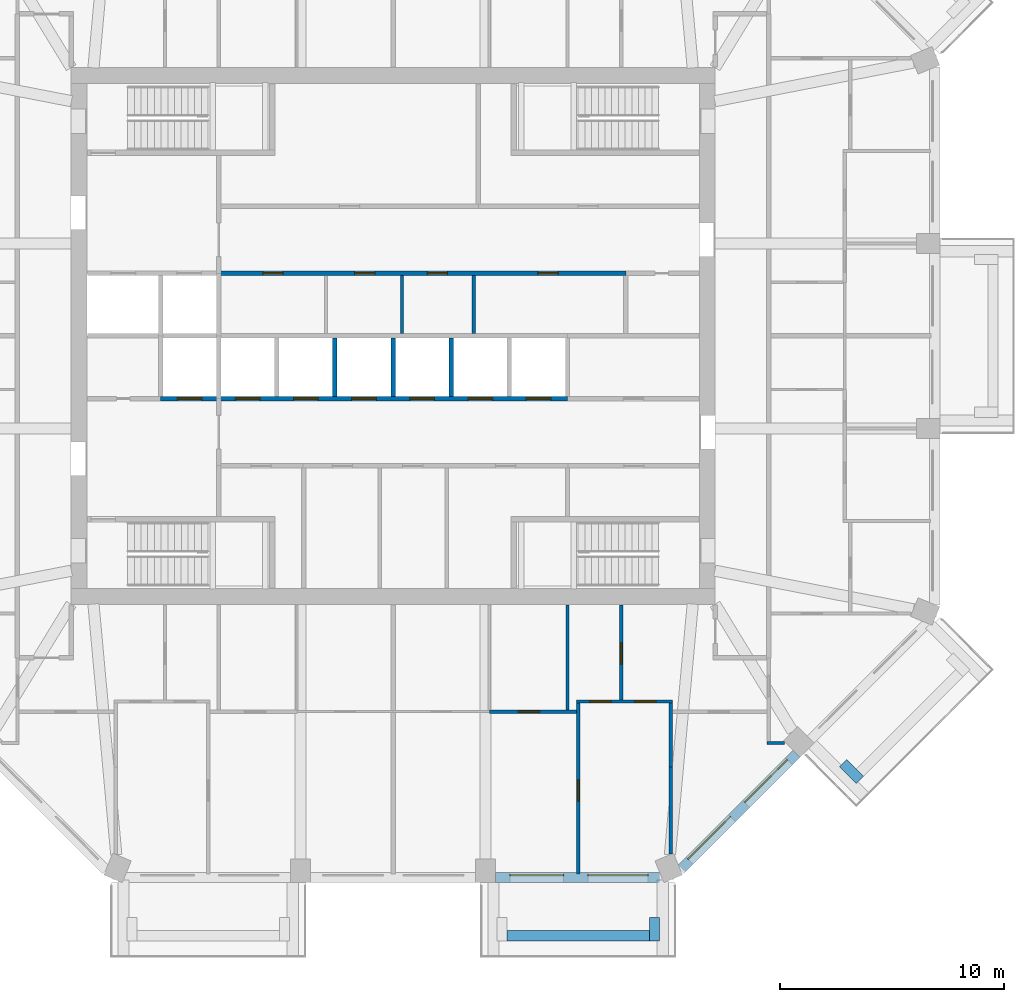
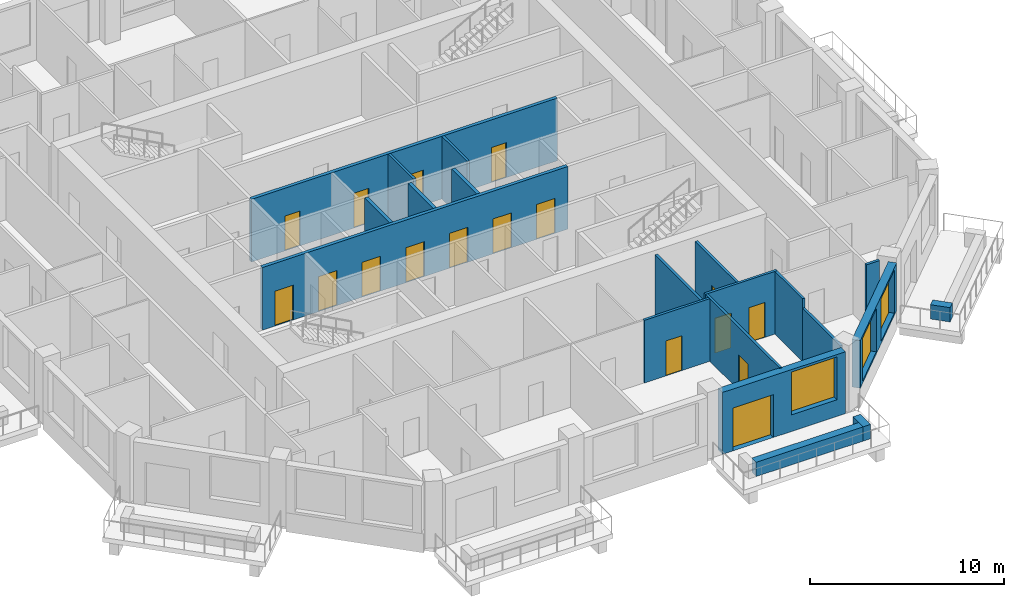
# One storey, part 5 of 12: 20 walls, 17 doors, 3 windows, 20 openings.
"""IFC4 building model written with IfcOpenShell, lengths in metres."""

from ifc_helpers import new_model, si_unit, direction, frame, frame_2d, origin, place, context, subcontext, project, spatial, rectangle, extrude, material, layer, layer_set, type_object, element, fill, save


model = new_model("IFC4")

# Units and contexts
model_context = context("Model", 3, precision=1e-05, world=origin(), true_north=direction((0.0, 1.0)))
body_context = subcontext(model_context, "Body", "Model", "MODEL_VIEW")
ifc_project = project(units=[si_unit("LENGTHUNIT", "METRE"), si_unit("AREAUNIT", "SQUARE_METRE"), si_unit("VOLUMEUNIT", "CUBIC_METRE"), si_unit("PLANEANGLEUNIT", "RADIAN"), si_unit("MASSUNIT", "GRAM", prefix="KILO")], contexts=[model_context])

# Site, building, storey
site_placement = place(None, origin())
site = spatial("IfcSite", under=ifc_project, at=site_placement, CompositionType="ELEMENT")
building_placement = place(site_placement, origin())
building = spatial("IfcBuilding", under=site, at=building_placement, Name="Msitu Wima Residences", CompositionType="ELEMENT")
storey_placement = place(building_placement, frame((0.0, 0.0, 179.10009765625)))
storey = spatial("IfcBuildingStorey", under=building, at=storey_placement, Name="L41", CompositionType="ELEMENT", Elevation=179.10009765625)

# Walls
ifc_material_1 = material(Name="Facing brick")
ifc_layer_1 = layer(ifc_material_1, 0.06494140625, Name="Facing brick")
ifc_material_2 = material(Name="Concrete C40/50", Category="concrete")
ifc_layer_2 = layer(ifc_material_2, 0.156005859375, Name="Concrete C40/50")
ifc_material_3 = material(Name="Waterproofing membrane")
ifc_layer_3 = layer(ifc_material_3, 0.00390625, Name="Waterproofing membrane")
ifc_material_4 = material(Name="Planting soil and planting")
ifc_layer_4 = layer(ifc_material_4, 0.22509765625, Name="Planting soil and planting")
ifc_layer_set_1 = layer_set([ifc_layer_1, ifc_layer_2, ifc_layer_3, ifc_layer_4], Name="Concrete C40/50")
wall_type_1 = type_object("IfcWallType", Name="Balcony planter PLANTER PL450", PredefinedType="USERDEFINED", material=ifc_layer_set_1)
wall_1_placement = place(storey_placement, frame((5.087158203125, -26.824951171875, 0.0), z_axis=(0.0, 0.0, 1.0), x_axis=(1.0, 0.0, 0.0)))
element("IfcWall", 1, at=wall_1_placement, inside=storey, type_object=wall_type_1, Name="Balcony planter S2 L41", ObjectType="PLANTER", PredefinedType="USERDEFINED", context=body_context, shape_type="SweptSolid", body=[
    extrude(rectangle(XDim=6.37451171875, YDim=0.449951171875, at=frame_2d((3.187255859375, 0.0))), origin(), (0.0, 0.0, 1.0), 0.89990234375),
])
for number, where, z_axis, x_axis, name in (
    (2, (11.686767578125, -26.0, 0.0), (0.0, 0.0, 1.0), (0.0, -1.0, 0.0), "Balcony planter S2 L41"),
    (3, (20.1328125, -19.107421875, 0.0), (0.0, 0.0, 1.0), (0.707106781187, -0.707106781187, 0.0), "Balcony planter SE1 L41"),
):
    element("IfcWall", number, at=place(storey_placement, frame(where, z_axis=z_axis, x_axis=x_axis)), inside=storey, type_object=wall_type_1, Name=name, ObjectType="PLANTER", PredefinedType="USERDEFINED", context=body_context, shape_type="SweptSolid", body=[
        extrude(rectangle(XDim=1.050048828125, YDim=0.449951171875, at=frame_2d((0.52490234375, 0.0))), origin(), (0.0, 0.0, 1.0), 0.89990234375),
    ])

# Wall, openings, door, window
ifc_material_5 = material(Name="Brick (red buff mix)", Category="masonry")
ifc_layer_5 = layer(ifc_material_5, 0.449951171875)
ifc_layer_set_2 = layer_set([ifc_layer_5], Name="Brick (red buff mix)")
wall_type_2 = type_object("IfcWallType", Name="Brick infill wall BW450", PredefinedType="SOLIDWALL", material=ifc_layer_set_2)
wall_2_placement = place(storey_placement, frame((4.587158203125, -24.22509765625, 0.0), z_axis=(0.0, 0.0, 1.0), x_axis=(1.0, 0.0, 0.0)))
wall_2 = element("IfcWall", 4, at=wall_2_placement, inside=storey, type_object=wall_type_2, Name="Brick infill wall L41 S2", PredefinedType="SOLIDWALL", context=body_context, shape_type="SweptSolid", body=[
    extrude(rectangle(XDim=7.337646484375, YDim=0.449951171875, at=frame_2d((3.6689453125, 0.0))), origin(), (0.0, 0.0, 1.0), 3.89990234375),
])
opening_1_placement = place(wall_2_placement, frame((0.63427734375, 0.0, 0.0)))
opening_1 = element("IfcOpeningElement", 5, at=opening_1_placement, cuts=wall_2, Name="Opening D40-42.007", PredefinedType="OPENING", context=body_context, shape_type="SweptSolid", body=[
    extrude(rectangle(XDim=2.39990234375, YDim=2.699951171875, at=frame_2d((1.199951171875, 1.35009765625))), frame((0.0, 0.23486328125, 0.0), z_axis=(0.0, -1.0, 0.0), x_axis=(1.0, 0.0, 0.0)), (0.0, 0.0, 1.0), 0.469970703125),
])
opening_2_placement = place(wall_2_placement, frame((4.11865234375, 0.0, 1.050048828125)))
opening_2 = element("IfcOpeningElement", 6, at=opening_2_placement, cuts=wall_2, Name="Opening W40-42.019", PredefinedType="OPENING", context=body_context, shape_type="SweptSolid", body=[
    extrude(rectangle(XDim=2.699951171875, YDim=2.699951171875, at=frame_2d((1.35009765625, 1.35009765625))), frame((0.0, 0.23486328125, 0.0), z_axis=(0.0, -1.0, 0.0), x_axis=(1.0, 0.0, 0.0)), (0.0, 0.0, 1.0), 0.469970703125),
])
ifc_material_6 = material(Name="Anodised aluminium, bronze finish, clear low-emissivity double glazing", Category="aluminium")
door_type_1 = type_object("IfcDoorType", Name="Balcony door D2400x2700", OperationType="SLIDING_TO_LEFT", PredefinedType="DOOR", material=ifc_material_6)
door_1_placement = place(opening_1_placement, origin())
door_1 = element("IfcDoor", 7, at=door_1_placement, inside=storey, type_object=door_type_1, Name="Balcony door L41 S2", OperationType="SINGLE_SWING_LEFT", OverallHeight=2.699951171875, OverallWidth=2.39990234375, PredefinedType="DOOR", context=body_context, shape_type="SweptSolid", body=[
    extrude(rectangle(XDim=2.39990234375, YDim=2.699951171875, at=frame_2d((1.199951171875, 1.35009765625))), frame((0.0, 0.1298828125, 0.0), z_axis=(0.0, -1.0, 0.0), x_axis=(1.0, 0.0, 0.0)), (0.0, 0.0, 1.0), 0.050048828125),
])
fill(opening_1, door_1)
window_type = type_object("IfcWindowType", Name="Window W2700x2700", PartitioningType="DOUBLE_PANEL_VERTICAL", PredefinedType="WINDOW", material=ifc_material_6)
window_1_placement = place(opening_2_placement, origin())
window_1 = element("IfcWindow", 8, at=window_1_placement, inside=storey, type_object=window_type, Name="Window L41 S2.2", OverallHeight=2.699951171875, OverallWidth=2.699951171875, PartitioningType="SINGLE_PANEL", PredefinedType="WINDOW", context=body_context, shape_type="SweptSolid", body=[
    extrude(rectangle(XDim=2.699951171875, YDim=2.699951171875, at=frame_2d((1.35009765625, 1.35009765625))), frame((0.0, 0.135009765625, 0.0), z_axis=(0.0, -1.0, 0.0), x_axis=(1.0, 0.0, 0.0)), (0.0, 0.0, 1.0), 0.06005859375),
])
fill(opening_2, window_1)

# Wall, openings, windows
wall_3_placement = place(storey_placement, frame((12.915283203125, -23.814697265625, 0.89990234375), z_axis=(0.0, 0.0, 1.0), x_axis=(0.707106781187, 0.707106781187, 0.0)))
wall_3 = element("IfcWall", 9, at=wall_3_placement, inside=storey, type_object=wall_type_2, Name="Brick infill wall L41 SE0", PredefinedType="SOLIDWALL", context=body_context, shape_type="SweptSolid", body=[
    extrude(rectangle(XDim=7.257080078125, YDim=0.449951171875, at=frame_2d((3.62841796875, 0.0))), origin(), (0.0, 0.0, 1.0), 3.0),
])
opening_3_placement = place(wall_3_placement, frame((0.478515625, 0.0, 0.14990234375)))
opening_3 = element("IfcOpeningElement", 10, at=opening_3_placement, cuts=wall_3, Name="Opening W40-42.020", PredefinedType="OPENING", context=body_context, shape_type="SweptSolid", body=[
    extrude(rectangle(XDim=2.699951171875, YDim=2.699951171875, at=frame_2d((1.35009765625, 1.35009765625))), frame((0.0, 0.23486328125, 0.0), z_axis=(0.0, -1.0, 0.0), x_axis=(1.0, 0.0, 0.0)), (0.0, 0.0, 1.0), 0.469970703125),
])
opening_4_placement = place(wall_3_placement, frame((4.07861328125, 0.0, 0.14990234375)))
opening_4 = element("IfcOpeningElement", 11, at=opening_4_placement, cuts=wall_3, Name="Opening W40-42.021", PredefinedType="OPENING", context=body_context, shape_type="SweptSolid", body=[
    extrude(rectangle(XDim=2.699951171875, YDim=2.699951171875, at=frame_2d((1.35009765625, 1.35009765625))), frame((0.0, 0.23486328125, 0.0), z_axis=(0.0, -1.0, 0.0), x_axis=(1.0, 0.0, 0.0)), (0.0, 0.0, 1.0), 0.469970703125),
])
window_2_placement = place(opening_3_placement, origin())
window_2 = element("IfcWindow", 12, at=window_2_placement, inside=storey, type_object=window_type, Name="Window L41 SE0.1", OverallHeight=2.699951171875, OverallWidth=2.699951171875, PartitioningType="SINGLE_PANEL", PredefinedType="WINDOW", context=body_context, shape_type="SweptSolid", body=[
    extrude(rectangle(XDim=2.699951171875, YDim=2.699951171875, at=frame_2d((1.35009765625, 1.35009765625))), frame((0.0, 0.135009765625, 0.0), z_axis=(0.0, -1.0, 0.0), x_axis=(1.0, 0.0, 0.0)), (0.0, 0.0, 1.0), 0.06005859375),
])
fill(opening_3, window_2)
window_3_placement = place(opening_4_placement, origin())
window_3 = element("IfcWindow", 13, at=window_3_placement, inside=storey, type_object=window_type, Name="Window L41 SE0.2", OverallHeight=2.699951171875, OverallWidth=2.699951171875, PartitioningType="SINGLE_PANEL", PredefinedType="WINDOW", context=body_context, shape_type="SweptSolid", body=[
    extrude(rectangle(XDim=2.699951171875, YDim=2.699951171875, at=frame_2d((1.35009765625, 1.35009765625))), frame((0.0, 0.135009765625, 0.0), z_axis=(0.0, -1.0, 0.0), x_axis=(1.0, 0.0, 0.0)), (0.0, 0.0, 1.0), 0.06005859375),
])
fill(opening_4, window_3)

# Wall, openings, doors
ifc_material_7 = material(Name="Plaster")
ifc_layer_6 = layer(ifc_material_7, 0.011962890625, Name="Plaster")
ifc_material_8 = material(Name="Concrete blockwork", Category="masonry")
ifc_layer_7 = layer(ifc_material_8, 0.176025390625, Name="Concrete blockwork")
ifc_layer_8 = layer(ifc_material_7, 0.011962890625, Name="Plaster")
ifc_layer_set_3 = layer_set([ifc_layer_6, ifc_layer_7, ifc_layer_8], Name="Concrete blockwork")
wall_type_3 = type_object("IfcWallType", Name="Corridor wall FW200", PredefinedType="PARTITIONING", material=ifc_layer_set_3)
wall_4_placement = place(storey_placement, frame((-7.820068359375, 2.800048828125, 0.0), z_axis=(0.0, 0.0, 1.0), x_axis=(1.0, 0.0, 0.0)))
wall_4 = element("IfcWall", 14, at=wall_4_placement, inside=storey, type_object=wall_type_3, Name="Corridor wall", PredefinedType="PARTITIONING", context=body_context, shape_type="SweptSolid", body=[
    extrude(rectangle(XDim=18.239990234375, YDim=0.199951171875, at=frame_2d((9.1201171875, 0.0))), origin(), (0.0, 0.0, 1.0), 3.949951171875),
])
opening_5_placement = place(wall_4_placement, frame((2.0, 0.0, 0.0)))
opening_5 = element("IfcOpeningElement", 15, at=opening_5_placement, cuts=wall_4, Name="Opening D40-42.081", PredefinedType="OPENING", context=body_context, shape_type="SweptSolid", body=[
    extrude(rectangle(XDim=0.89990234375, YDim=2.199951171875, at=frame_2d((0.449951171875, 1.10009765625))), frame((0.0, 0.10986328125, 0.0), z_axis=(0.0, -1.0, 0.0), x_axis=(1.0, 0.0, 0.0)), (0.0, 0.0, 1.0), 0.219970703125),
])
opening_6_placement = place(wall_4_placement, frame((6.10009765625, 0.0, 0.0)))
opening_6 = element("IfcOpeningElement", 16, at=opening_6_placement, cuts=wall_4, Name="Opening D40-42.082", PredefinedType="OPENING", context=body_context, shape_type="SweptSolid", body=[
    extrude(rectangle(XDim=0.89990234375, YDim=2.199951171875, at=frame_2d((0.449951171875, 1.10009765625))), frame((0.0, 0.10986328125, 0.0), z_axis=(0.0, -1.0, 0.0), x_axis=(1.0, 0.0, 0.0)), (0.0, 0.0, 1.0), 0.219970703125),
])
opening_7_placement = place(wall_4_placement, frame((9.35009765625, 0.0, 0.0)))
opening_7 = element("IfcOpeningElement", 17, at=opening_7_placement, cuts=wall_4, Name="Opening D40-42.083", PredefinedType="OPENING", context=body_context, shape_type="SweptSolid", body=[
    extrude(rectangle(XDim=0.89990234375, YDim=2.199951171875, at=frame_2d((0.449951171875, 1.10009765625))), frame((0.0, 0.10986328125, 0.0), z_axis=(0.0, -1.0, 0.0), x_axis=(1.0, 0.0, 0.0)), (0.0, 0.0, 1.0), 0.219970703125),
])
opening_8_placement = place(wall_4_placement, frame((14.300048828125, 0.0, 0.0)))
opening_8 = element("IfcOpeningElement", 18, at=opening_8_placement, cuts=wall_4, Name="Opening D40-42.084", PredefinedType="OPENING", context=body_context, shape_type="SweptSolid", body=[
    extrude(rectangle(XDim=0.89990234375, YDim=2.199951171875, at=frame_2d((0.449951171875, 1.10009765625))), frame((0.0, 0.10986328125, 0.0), z_axis=(0.0, -1.0, 0.0), x_axis=(1.0, 0.0, 0.0)), (0.0, 0.0, 1.0), 0.219970703125),
])
ifc_material_9 = material(Name="Timber flush door", Category="wood")
door_type_2 = type_object("IfcDoorType", Name="Service door D05 900x2200", OperationType="SINGLE_SWING_LEFT", PredefinedType="DOOR", material=ifc_material_9)
door_2_placement = place(opening_5_placement, origin())
door_2 = element("IfcDoor", 19, at=door_2_placement, inside=storey, type_object=door_type_2, Name="Service door", OperationType="SINGLE_SWING_LEFT", OverallHeight=2.199951171875, OverallWidth=0.89990234375, PredefinedType="DOOR", context=body_context, shape_type="SweptSolid", body=[
    extrude(rectangle(XDim=0.89990234375, YDim=2.199951171875, at=frame_2d((0.449951171875, 1.10009765625))), frame((0.0, 0.02490234375, 0.0), z_axis=(0.0, -1.0, 0.0), x_axis=(1.0, 0.0, 0.0)), (0.0, 0.0, 1.0), 0.050048828125),
])
fill(opening_5, door_2)
door_3_placement = place(opening_6_placement, origin())
door_3 = element("IfcDoor", 20, at=door_3_placement, inside=storey, type_object=door_type_2, Name="Service door", OperationType="SINGLE_SWING_LEFT", OverallHeight=2.199951171875, OverallWidth=0.89990234375, PredefinedType="DOOR", context=body_context, shape_type="SweptSolid", body=[
    extrude(rectangle(XDim=0.89990234375, YDim=2.199951171875, at=frame_2d((0.449951171875, 1.10009765625))), frame((0.0, 0.02490234375, 0.0), z_axis=(0.0, -1.0, 0.0), x_axis=(1.0, 0.0, 0.0)), (0.0, 0.0, 1.0), 0.050048828125),
])
fill(opening_6, door_3)
door_4_placement = place(opening_7_placement, origin())
door_4 = element("IfcDoor", 21, at=door_4_placement, inside=storey, type_object=door_type_2, Name="Service door", OperationType="SINGLE_SWING_RIGHT", OverallHeight=2.199951171875, OverallWidth=0.89990234375, PredefinedType="DOOR", context=body_context, shape_type="SweptSolid", body=[
    extrude(rectangle(XDim=0.89990234375, YDim=2.199951171875, at=frame_2d((0.449951171875, 1.10009765625))), frame((0.0, 0.02490234375, 0.0), z_axis=(0.0, -1.0, 0.0), x_axis=(1.0, 0.0, 0.0)), (0.0, 0.0, 1.0), 0.050048828125),
])
fill(opening_7, door_4)
door_5_placement = place(opening_8_placement, origin())
door_5 = element("IfcDoor", 22, at=door_5_placement, inside=storey, type_object=door_type_2, Name="Service door", OperationType="SINGLE_SWING_RIGHT", OverallHeight=2.199951171875, OverallWidth=0.89990234375, PredefinedType="DOOR", context=body_context, shape_type="SweptSolid", body=[
    extrude(rectangle(XDim=0.89990234375, YDim=2.199951171875, at=frame_2d((0.449951171875, 1.10009765625))), frame((0.0, 0.02490234375, 0.0), z_axis=(0.0, -1.0, 0.0), x_axis=(1.0, 0.0, 0.0)), (0.0, 0.0, 1.0), 0.050048828125),
])
fill(opening_8, door_5)

# Walls
ifc_layer_9 = layer(ifc_material_7, 0.011962890625, Name="Plaster")
ifc_layer_10 = layer(ifc_material_8, 0.1259765625, Name="Concrete blockwork")
ifc_layer_11 = layer(ifc_material_7, 0.011962890625, Name="Plaster")
ifc_layer_set_4 = layer_set([ifc_layer_9, ifc_layer_10, ifc_layer_11], Name="Concrete blockwork")
wall_type_4 = type_object("IfcWallType", Name="Partition PW150", PredefinedType="PARTITIONING", material=ifc_layer_set_4)
for number, where, z_axis, x_axis, name in (
    (23, (0.39990234375, 0.10009765625, 0.0), (0.0, 0.0, 1.0), (0.0, 1.0, 0.0), "Partition"),
    (24, (3.60009765625, 0.10009765625, 0.0), (0.0, 0.0, 1.0), (0.0, 1.0, 0.0), "Partition"),
):
    element("IfcWall", number, at=place(storey_placement, frame(where, z_axis=z_axis, x_axis=x_axis)), inside=storey, type_object=wall_type_4, Name=name, PredefinedType="PARTITIONING", context=body_context, shape_type="SweptSolid", body=[
        extrude(rectangle(XDim=2.599853515625, YDim=0.14990234375, at=frame_2d((1.2998046875, 0.0))), origin(), (0.0, 0.0, 1.0), 3.949951171875),
    ])

# Wall, opening, door
wall_5_placement = place(storey_placement, frame((4.300048828125, -16.800048828125, 0.0), z_axis=(0.0, 0.0, 1.0), x_axis=(1.0, 0.0, 0.0)))
wall_5 = element("IfcWall", 25, at=wall_5_placement, inside=storey, type_object=wall_type_4, Name="Partition", PredefinedType="PARTITIONING", context=body_context, shape_type="SweptSolid", body=[
    extrude(rectangle(XDim=3.8994140625, YDim=0.14990234375, at=frame_2d((1.94970703125, 0.0))), origin(), (0.0, 0.0, 1.0), 3.949951171875),
])
opening_9_placement = place(wall_5_placement, frame((1.300048828125, 0.0, 0.0)))
opening_9 = element("IfcOpeningElement", 26, at=opening_9_placement, cuts=wall_5, Name="Opening D40-42.056", PredefinedType="OPENING", context=body_context, shape_type="SweptSolid", body=[
    extrude(rectangle(XDim=0.949951171875, YDim=2.199951171875, at=frame_2d((0.47509765625, 1.10009765625))), frame((0.0, 0.0849609375, 0.0), z_axis=(0.0, -1.0, 0.0), x_axis=(1.0, 0.0, 0.0)), (0.0, 0.0, 1.0), 0.169921875),
])
door_type_3 = type_object("IfcDoorType", Name="Room door D12 950x2200", OperationType="SINGLE_SWING_LEFT", PredefinedType="DOOR", material=ifc_material_9)
door_6_placement = place(opening_9_placement, origin())
door_6 = element("IfcDoor", 27, at=door_6_placement, inside=storey, type_object=door_type_3, Name="Room door", OperationType="SINGLE_SWING_LEFT", OverallHeight=2.199951171875, OverallWidth=0.949951171875, PredefinedType="DOOR", context=body_context, shape_type="SweptSolid", body=[
    extrude(rectangle(XDim=0.949951171875, YDim=2.199951171875, at=frame_2d((0.47509765625, 1.10009765625))), frame((0.0, 0.02490234375, 0.0), z_axis=(0.0, -1.0, 0.0), x_axis=(1.0, 0.0, 0.0)), (0.0, 0.0, 1.0), 0.050048828125),
])
fill(opening_9, door_6)

# Wall
wall_6_placement = place(storey_placement, frame((7.800048828125, -16.72509765625, 0.0), z_axis=(0.0, 0.0, 1.0), x_axis=(0.0, 1.0, 0.0)))
element("IfcWall", 28, at=wall_6_placement, inside=storey, type_object=wall_type_4, Name="Partition", PredefinedType="PARTITIONING", context=body_context, shape_type="SweptSolid", body=[
    extrude(rectangle(XDim=4.695068359375, YDim=0.14990234375, at=frame_2d((2.34765625, 0.0))), origin(), (0.0, 0.0, 1.0), 3.949951171875),
])

# Wall, opening, door
wall_7_placement = place(storey_placement, frame((8.2744140625, -24.054931640625, 0.0), z_axis=(0.0, 0.0, 1.0), x_axis=(0.0, 1.0, 0.0)))
wall_7 = element("IfcWall", 29, at=wall_7_placement, inside=storey, type_object=wall_type_4, Name="Partition", PredefinedType="PARTITIONING", context=body_context, shape_type="SweptSolid", body=[
    extrude(rectangle(XDim=7.6298828125, YDim=0.14990234375, at=frame_2d((3.81494140625, 0.0))), origin(), (0.0, 0.0, 1.0), 3.949951171875),
])
opening_10_placement = place(wall_7_placement, frame((3.25, 0.0, 0.0)))
opening_10 = element("IfcOpeningElement", 30, at=opening_10_placement, cuts=wall_7, Name="Opening D40-42.062", PredefinedType="OPENING", context=body_context, shape_type="SweptSolid", body=[
    extrude(rectangle(XDim=0.949951171875, YDim=2.199951171875, at=frame_2d((0.47509765625, 1.10009765625))), frame((0.0, 0.0849609375, 0.0), z_axis=(0.0, -1.0, 0.0), x_axis=(1.0, 0.0, 0.0)), (0.0, 0.0, 1.0), 0.169921875),
])
door_7_placement = place(opening_10_placement, origin())
door_7 = element("IfcDoor", 31, at=door_7_placement, inside=storey, type_object=door_type_3, Name="Room door", OperationType="SINGLE_SWING_RIGHT", OverallHeight=2.199951171875, OverallWidth=0.949951171875, PredefinedType="DOOR", context=body_context, shape_type="SweptSolid", body=[
    extrude(rectangle(XDim=0.949951171875, YDim=2.199951171875, at=frame_2d((0.47509765625, 1.10009765625))), frame((0.0, 0.02490234375, 0.0), z_axis=(0.0, -1.0, 0.0), x_axis=(1.0, 0.0, 0.0)), (0.0, 0.0, 1.0), 0.050048828125),
])
fill(opening_10, door_7)

# Wall, openings, doors
wall_8_placement = place(storey_placement, frame((8.199462890625, -16.35009765625, 0.0), z_axis=(0.0, 0.0, 1.0), x_axis=(1.0, 0.0, 0.0)))
wall_8 = element("IfcWall", 32, at=wall_8_placement, inside=storey, type_object=wall_type_4, Name="Partition", PredefinedType="PARTITIONING", context=body_context, shape_type="SweptSolid", body=[
    extrude(rectangle(XDim=4.287353515625, YDim=0.14990234375, at=frame_2d((2.1435546875, 0.0))), origin(), (0.0, 0.0, 1.0), 3.949951171875),
])
opening_11_placement = place(wall_8_placement, frame((2.60009765625, 0.0, 0.0)))
opening_11 = element("IfcOpeningElement", 33, at=opening_11_placement, cuts=wall_8, Name="Opening D40-42.059", PredefinedType="OPENING", context=body_context, shape_type="SweptSolid", body=[
    extrude(rectangle(XDim=0.949951171875, YDim=2.199951171875, at=frame_2d((0.47509765625, 1.10009765625))), frame((0.0, 0.0849609375, 0.0), z_axis=(0.0, -1.0, 0.0), x_axis=(1.0, 0.0, 0.0)), (0.0, 0.0, 1.0), 0.169921875),
])
opening_12_placement = place(wall_8_placement, frame((0.60009765625, 0.0, 0.0)))
opening_12 = element("IfcOpeningElement", 34, at=opening_12_placement, cuts=wall_8, Name="Opening D40-42.058", PredefinedType="OPENING", context=body_context, shape_type="SweptSolid", body=[
    extrude(rectangle(XDim=0.949951171875, YDim=2.199951171875, at=frame_2d((0.47509765625, 1.10009765625))), frame((0.0, 0.0849609375, 0.0), z_axis=(0.0, -1.0, 0.0), x_axis=(1.0, 0.0, 0.0)), (0.0, 0.0, 1.0), 0.169921875),
])
door_8_placement = place(opening_11_placement, origin())
door_8 = element("IfcDoor", 35, at=door_8_placement, inside=storey, type_object=door_type_3, Name="Room door", OperationType="SINGLE_SWING_LEFT", OverallHeight=2.199951171875, OverallWidth=0.949951171875, PredefinedType="DOOR", context=body_context, shape_type="SweptSolid", body=[
    extrude(rectangle(XDim=0.949951171875, YDim=2.199951171875, at=frame_2d((0.47509765625, 1.10009765625))), frame((0.0, 0.02490234375, 0.0), z_axis=(0.0, -1.0, 0.0), x_axis=(1.0, 0.0, 0.0)), (0.0, 0.0, 1.0), 0.050048828125),
])
fill(opening_11, door_8)
door_9_placement = place(opening_12_placement, origin())
door_9 = element("IfcDoor", 36, at=door_9_placement, inside=storey, type_object=door_type_3, Name="Room door", OperationType="SINGLE_SWING_RIGHT", OverallHeight=2.199951171875, OverallWidth=0.949951171875, PredefinedType="DOOR", context=body_context, shape_type="SweptSolid", body=[
    extrude(rectangle(XDim=0.949951171875, YDim=2.199951171875, at=frame_2d((0.47509765625, 1.10009765625))), frame((0.0, 0.02490234375, 0.0), z_axis=(0.0, -1.0, 0.0), x_axis=(1.0, 0.0, 0.0)), (0.0, 0.0, 1.0), 0.050048828125),
])
fill(opening_12, door_9)

# Wall, opening, door
wall_9_placement = place(storey_placement, frame((10.199951171875, -16.27490234375, 0.0), z_axis=(0.0, 0.0, 1.0), x_axis=(0.0, 1.0, 0.0)))
wall_9 = element("IfcWall", 37, at=wall_9_placement, inside=storey, type_object=wall_type_4, Name="Partition", PredefinedType="PARTITIONING", context=body_context, shape_type="SweptSolid", body=[
    extrude(rectangle(XDim=4.244873046875, YDim=0.14990234375, at=frame_2d((2.12255859375, 0.0))), origin(), (0.0, 0.0, 1.0), 3.949951171875),
])
opening_13_placement = place(wall_9_placement, frame((1.60009765625, 0.0, 0.0)))
opening_13 = element("IfcOpeningElement", 38, at=opening_13_placement, cuts=wall_9, Name="Opening D40-42.054", PredefinedType="OPENING", context=body_context, shape_type="SweptSolid", body=[
    extrude(rectangle(XDim=0.949951171875, YDim=2.199951171875, at=frame_2d((0.47509765625, 1.10009765625))), frame((0.0, 0.0849609375, 0.0), z_axis=(0.0, -1.0, 0.0), x_axis=(1.0, 0.0, 0.0)), (0.0, 0.0, 1.0), 0.169921875),
])
door_10_placement = place(opening_13_placement, origin())
door_10 = element("IfcDoor", 39, at=door_10_placement, inside=storey, type_object=door_type_3, Name="Room door", OperationType="SINGLE_SWING_LEFT", OverallHeight=2.199951171875, OverallWidth=0.949951171875, PredefinedType="DOOR", context=body_context, shape_type="SweptSolid", body=[
    extrude(rectangle(XDim=0.949951171875, YDim=2.199951171875, at=frame_2d((0.47509765625, 1.10009765625))), frame((0.0, 0.02490234375, 0.0), z_axis=(0.0, -1.0, 0.0), x_axis=(1.0, 0.0, 0.0)), (0.0, 0.0, 1.0), 0.050048828125),
])
fill(opening_13, door_10)

# Walls
wall_10_placement = place(storey_placement, frame((12.411865234375, -23.1689453125, 0.0), z_axis=(0.0, 0.0, 1.0), x_axis=(0.0, 1.0, 0.0)))
element("IfcWall", 40, at=wall_10_placement, inside=storey, type_object=wall_type_4, Name="Partition", PredefinedType="PARTITIONING", context=body_context, shape_type="SweptSolid", body=[
    extrude(rectangle(XDim=3.8984375, YDim=0.14990234375, at=frame_2d((1.94921875, 0.0))), origin(), (0.0, 0.0, 1.0), 3.349853515625),
])
wall_11_placement = place(storey_placement, frame((12.411865234375, -19.2705078125, 0.0), z_axis=(0.0, 0.0, 1.0), x_axis=(0.0, 1.0, 0.0)))
element("IfcWall", 41, at=wall_11_placement, inside=storey, type_object=wall_type_4, Name="Partition", PredefinedType="PARTITIONING", context=body_context, shape_type="SweptSolid", body=[
    extrude(rectangle(XDim=2.845458984375, YDim=0.14990234375, at=frame_2d((1.4228515625, 0.0))), origin(), (0.0, 0.0, 1.0), 3.949951171875),
])
wall_12_placement = place(storey_placement, frame((16.72509765625, -18.205810546875, 0.0), z_axis=(0.0, 0.0, 1.0), x_axis=(1.0, 0.0, 0.0)))
element("IfcWall", 42, at=wall_12_placement, inside=storey, type_object=wall_type_4, Name="Partition", PredefinedType="PARTITIONING", context=body_context, shape_type="SweptSolid", body=[
    extrude(rectangle(XDim=0.784423828125, YDim=0.14990234375, at=frame_2d((0.39208984375, 0.0))), origin(), (0.0, 0.0, 1.0), 3.949951171875),
])

# Wall, openings, doors
ifc_material_10 = material(Name="Fire-rated board")
ifc_layer_12 = layer(ifc_material_10, 0.02490234375, Name="Fire-rated board")
ifc_material_11 = material(Name="Light-gauge stud framing with mineral wool")
ifc_layer_13 = layer(ifc_material_11, 0.14990234375, Name="Light-gauge stud framing with mineral wool")
ifc_layer_14 = layer(ifc_material_10, 0.02490234375, Name="Fire-rated board")
ifc_layer_set_5 = layer_set([ifc_layer_12, ifc_layer_13, ifc_layer_14], Name="Light-gauge stud framing with mineral wool")
wall_type_5 = type_object("IfcWallType", Name="Shaft wall SH200", PredefinedType="PARTITIONING", material=ifc_layer_set_5)
wall_13_placement = place(storey_placement, frame((-10.39990234375, -2.800048828125, 0.0), z_axis=(0.0, 0.0, 1.0), x_axis=(1.0, 0.0, 0.0)))
wall_13 = element("IfcWall", 43, at=wall_13_placement, inside=storey, type_object=wall_type_5, Name="Shaft wall", PredefinedType="PARTITIONING", context=body_context, shape_type="SweptSolid", body=[
    extrude(rectangle(XDim=18.199951171875, YDim=0.199951171875, at=frame_2d((9.10009765625, 0.0))), origin(), (0.0, 0.0, 1.0), 3.949951171875),
])
opening_14_placement = place(wall_13_placement, frame((0.75, 0.0, 0.0)))
opening_14 = element("IfcOpeningElement", 44, at=opening_14_placement, cuts=wall_13, Name="Opening LD", PredefinedType="OPENING", context=body_context, shape_type="SweptSolid", body=[
    extrude(rectangle(XDim=1.10009765625, YDim=2.199951171875, at=frame_2d((0.550048828125, 1.10009765625))), frame((0.0, 0.10986328125, 0.0), z_axis=(0.0, -1.0, 0.0), x_axis=(1.0, 0.0, 0.0)), (0.0, 0.0, 1.0), 0.219970703125),
])
opening_15_placement = place(wall_13_placement, frame((3.35009765625, 0.0, 0.0)))
opening_15 = element("IfcOpeningElement", 45, at=opening_15_placement, cuts=wall_13, Name="Opening LD", PredefinedType="OPENING", context=body_context, shape_type="SweptSolid", body=[
    extrude(rectangle(XDim=1.10009765625, YDim=2.199951171875, at=frame_2d((0.550048828125, 1.10009765625))), frame((0.0, 0.10986328125, 0.0), z_axis=(0.0, -1.0, 0.0), x_axis=(1.0, 0.0, 0.0)), (0.0, 0.0, 1.0), 0.219970703125),
])
opening_16_placement = place(wall_13_placement, frame((5.949951171875, 0.0, 0.0)))
opening_16 = element("IfcOpeningElement", 46, at=opening_16_placement, cuts=wall_13, Name="Opening LD", PredefinedType="OPENING", context=body_context, shape_type="SweptSolid", body=[
    extrude(rectangle(XDim=1.10009765625, YDim=2.199951171875, at=frame_2d((0.550048828125, 1.10009765625))), frame((0.0, 0.10986328125, 0.0), z_axis=(0.0, -1.0, 0.0), x_axis=(1.0, 0.0, 0.0)), (0.0, 0.0, 1.0), 0.219970703125),
])
opening_17_placement = place(wall_13_placement, frame((8.550048828125, 0.0, 0.0)))
opening_17 = element("IfcOpeningElement", 47, at=opening_17_placement, cuts=wall_13, Name="Opening LD", PredefinedType="OPENING", context=body_context, shape_type="SweptSolid", body=[
    extrude(rectangle(XDim=1.10009765625, YDim=2.199951171875, at=frame_2d((0.550048828125, 1.10009765625))), frame((0.0, 0.10986328125, 0.0), z_axis=(0.0, -1.0, 0.0), x_axis=(1.0, 0.0, 0.0)), (0.0, 0.0, 1.0), 0.219970703125),
])
opening_18_placement = place(wall_13_placement, frame((11.14990234375, 0.0, 0.0)))
opening_18 = element("IfcOpeningElement", 48, at=opening_18_placement, cuts=wall_13, Name="Opening LD", PredefinedType="OPENING", context=body_context, shape_type="SweptSolid", body=[
    extrude(rectangle(XDim=1.10009765625, YDim=2.199951171875, at=frame_2d((0.550048828125, 1.10009765625))), frame((0.0, 0.10986328125, 0.0), z_axis=(0.0, -1.0, 0.0), x_axis=(1.0, 0.0, 0.0)), (0.0, 0.0, 1.0), 0.219970703125),
])
opening_19_placement = place(wall_13_placement, frame((13.75, 0.0, 0.0)))
opening_19 = element("IfcOpeningElement", 49, at=opening_19_placement, cuts=wall_13, Name="Opening LD", PredefinedType="OPENING", context=body_context, shape_type="SweptSolid", body=[
    extrude(rectangle(XDim=1.10009765625, YDim=2.199951171875, at=frame_2d((0.550048828125, 1.10009765625))), frame((0.0, 0.10986328125, 0.0), z_axis=(0.0, -1.0, 0.0), x_axis=(1.0, 0.0, 0.0)), (0.0, 0.0, 1.0), 0.219970703125),
])
opening_20_placement = place(wall_13_placement, frame((16.35009765625, 0.0, 0.0)))
opening_20 = element("IfcOpeningElement", 50, at=opening_20_placement, cuts=wall_13, Name="Opening LD", PredefinedType="OPENING", context=body_context, shape_type="SweptSolid", body=[
    extrude(rectangle(XDim=1.10009765625, YDim=2.199951171875, at=frame_2d((0.550048828125, 1.10009765625))), frame((0.0, 0.10986328125, 0.0), z_axis=(0.0, -1.0, 0.0), x_axis=(1.0, 0.0, 0.0)), (0.0, 0.0, 1.0), 0.219970703125),
])
ifc_material_12 = material(Name="Stainless steel centre-opening landing door, rated", Category="steel")
door_type_4 = type_object("IfcDoorType", Name="Lift landing door LD 1100x2200", OperationType="DOUBLE_DOOR_SLIDING", PredefinedType="DOOR", material=ifc_material_12)
door_11_placement = place(opening_14_placement, origin())
door_11 = element("IfcDoor", 51, at=door_11_placement, inside=storey, type_object=door_type_4, Name="Lift landing door LD3", OperationType="DOUBLE_DOOR_SLIDING", OverallHeight=2.199951171875, OverallWidth=1.10009765625, PredefinedType="DOOR", context=body_context, shape_type="SweptSolid", body=[
    extrude(rectangle(XDim=1.10009765625, YDim=2.199951171875, at=frame_2d((0.550048828125, 1.10009765625))), frame((0.0, 0.02490234375, 0.0), z_axis=(0.0, -1.0, 0.0), x_axis=(1.0, 0.0, 0.0)), (0.0, 0.0, 1.0), 0.050048828125),
])
fill(opening_14, door_11)
door_12_placement = place(opening_15_placement, origin())
door_12 = element("IfcDoor", 52, at=door_12_placement, inside=storey, type_object=door_type_4, Name="Lift landing door LD5", OperationType="DOUBLE_DOOR_SLIDING", OverallHeight=2.199951171875, OverallWidth=1.10009765625, PredefinedType="DOOR", context=body_context, shape_type="SweptSolid", body=[
    extrude(rectangle(XDim=1.10009765625, YDim=2.199951171875, at=frame_2d((0.550048828125, 1.10009765625))), frame((0.0, 0.02490234375, 0.0), z_axis=(0.0, -1.0, 0.0), x_axis=(1.0, 0.0, 0.0)), (0.0, 0.0, 1.0), 0.050048828125),
])
fill(opening_15, door_12)
door_13_placement = place(opening_16_placement, origin())
door_13 = element("IfcDoor", 53, at=door_13_placement, inside=storey, type_object=door_type_4, Name="Lift landing door LD7", OperationType="DOUBLE_DOOR_SLIDING", OverallHeight=2.199951171875, OverallWidth=1.10009765625, PredefinedType="DOOR", context=body_context, shape_type="SweptSolid", body=[
    extrude(rectangle(XDim=1.10009765625, YDim=2.199951171875, at=frame_2d((0.550048828125, 1.10009765625))), frame((0.0, 0.02490234375, 0.0), z_axis=(0.0, -1.0, 0.0), x_axis=(1.0, 0.0, 0.0)), (0.0, 0.0, 1.0), 0.050048828125),
])
fill(opening_16, door_13)
door_14_placement = place(opening_17_placement, origin())
door_14 = element("IfcDoor", 54, at=door_14_placement, inside=storey, type_object=door_type_4, Name="Lift landing door LD9", OperationType="DOUBLE_DOOR_SLIDING", OverallHeight=2.199951171875, OverallWidth=1.10009765625, PredefinedType="DOOR", context=body_context, shape_type="SweptSolid", body=[
    extrude(rectangle(XDim=1.10009765625, YDim=2.199951171875, at=frame_2d((0.550048828125, 1.10009765625))), frame((0.0, 0.02490234375, 0.0), z_axis=(0.0, -1.0, 0.0), x_axis=(1.0, 0.0, 0.0)), (0.0, 0.0, 1.0), 0.050048828125),
])
fill(opening_17, door_14)
door_15_placement = place(opening_18_placement, origin())
door_15 = element("IfcDoor", 55, at=door_15_placement, inside=storey, type_object=door_type_4, Name="Lift landing door LD11", OperationType="DOUBLE_DOOR_SLIDING", OverallHeight=2.199951171875, OverallWidth=1.10009765625, PredefinedType="DOOR", context=body_context, shape_type="SweptSolid", body=[
    extrude(rectangle(XDim=1.10009765625, YDim=2.199951171875, at=frame_2d((0.550048828125, 1.10009765625))), frame((0.0, 0.02490234375, 0.0), z_axis=(0.0, -1.0, 0.0), x_axis=(1.0, 0.0, 0.0)), (0.0, 0.0, 1.0), 0.050048828125),
])
fill(opening_18, door_15)
door_16_placement = place(opening_19_placement, origin())
door_16 = element("IfcDoor", 56, at=door_16_placement, inside=storey, type_object=door_type_4, Name="Lift landing door LD13", OperationType="DOUBLE_DOOR_SLIDING", OverallHeight=2.199951171875, OverallWidth=1.10009765625, PredefinedType="DOOR", context=body_context, shape_type="SweptSolid", body=[
    extrude(rectangle(XDim=1.10009765625, YDim=2.199951171875, at=frame_2d((0.550048828125, 1.10009765625))), frame((0.0, 0.02490234375, 0.0), z_axis=(0.0, -1.0, 0.0), x_axis=(1.0, 0.0, 0.0)), (0.0, 0.0, 1.0), 0.050048828125),
])
fill(opening_19, door_16)
door_17_placement = place(opening_20_placement, origin())
door_17 = element("IfcDoor", 57, at=door_17_placement, inside=storey, type_object=door_type_4, Name="Lift landing door LD15", OperationType="DOUBLE_DOOR_SLIDING", OverallHeight=2.199951171875, OverallWidth=1.10009765625, PredefinedType="DOOR", context=body_context, shape_type="SweptSolid", body=[
    extrude(rectangle(XDim=1.10009765625, YDim=2.199951171875, at=frame_2d((0.550048828125, 1.10009765625))), frame((0.0, 0.02490234375, 0.0), z_axis=(0.0, -1.0, 0.0), x_axis=(1.0, 0.0, 0.0)), (0.0, 0.0, 1.0), 0.050048828125),
])
fill(opening_20, door_17)

# Walls
for number, where, z_axis, x_axis, name in (
    (58, (-2.60009765625, -2.699951171875, 0.0), (0.0, 0.0, 1.0), (0.0, 1.0, 0.0), "Shaft wall"),
    (59, (0.0, -2.699951171875, 0.0), (0.0, 0.0, 1.0), (0.0, 1.0, 0.0), "Shaft wall"),
    (60, (2.60009765625, -2.699951171875, 0.0), (0.0, 0.0, 1.0), (0.0, 1.0, 0.0), "Shaft wall"),
):
    element("IfcWall", number, at=place(storey_placement, frame(where, z_axis=z_axis, x_axis=x_axis)), inside=storey, type_object=wall_type_5, Name=name, PredefinedType="PARTITIONING", context=body_context, shape_type="SweptSolid", body=[
        extrude(rectangle(XDim=2.599853515625, YDim=0.199951171875, at=frame_2d((1.2998046875, 0.0))), origin(), (0.0, 0.0, 1.0), 3.949951171875),
    ])

save(model, "model.ifc")
